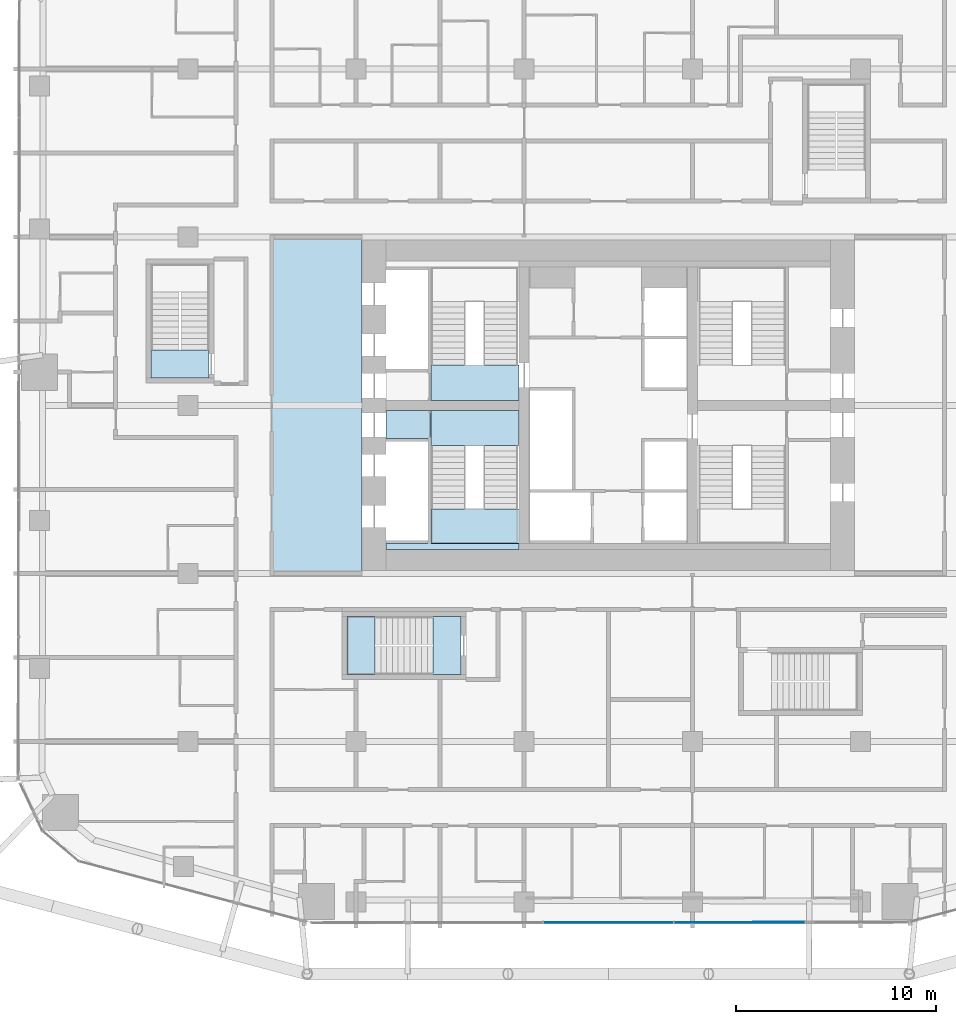
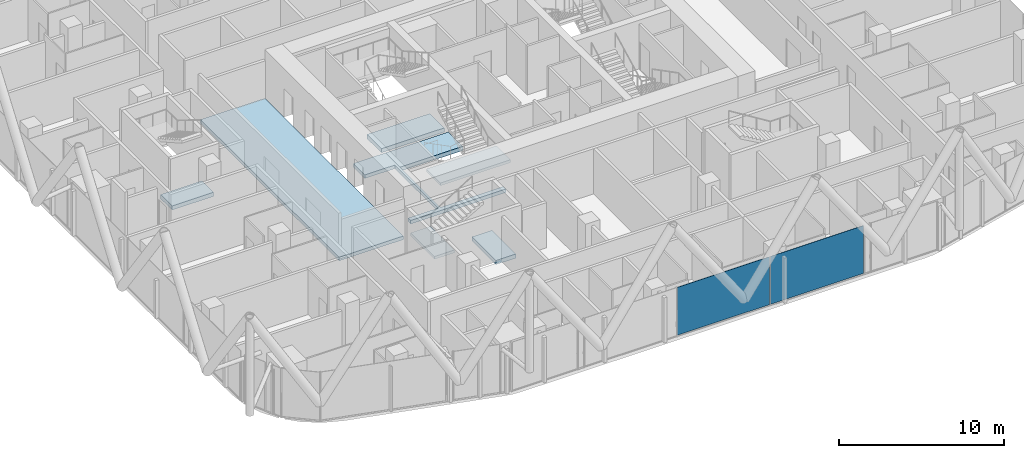
# One storey, part 21 of 38: 8 slabs, 2 plates, 3 elements without a shape of their own.
"""IFC4 building model written with IfcOpenShell, lengths in metres."""

from ifc_helpers import new_model, si_unit, direction, frame, origin, origin_2d, place, context, subcontext, project, spatial, polyline, rectangle, outline, extrude, material, layer, layer_set, type_object, element, aggregate, save


model = new_model("IFC4")

# Units and contexts
model_context = context("Model", 3, precision=1e-05, world=origin(), true_north=direction((0.0, 1.0)))
body_context = subcontext(model_context, "Body", "Model", "MODEL_VIEW")
ifc_project = project(units=[si_unit("LENGTHUNIT", "METRE"), si_unit("AREAUNIT", "SQUARE_METRE"), si_unit("VOLUMEUNIT", "CUBIC_METRE"), si_unit("PLANEANGLEUNIT", "RADIAN"), si_unit("MASSUNIT", "GRAM", prefix="KILO")], contexts=[model_context])

# Site, building, storey
site_placement = place(None, origin())
site = spatial("IfcSite", under=ifc_project, at=site_placement, CompositionType="ELEMENT")
building_placement = place(site_placement, origin())
building = spatial("IfcBuilding", under=site, at=building_placement, Name="Marenta Gate Hotel Tower", CompositionType="ELEMENT")
storey_placement = place(building_placement, frame((0.0, 0.0, 54.5)))
storey = spatial("IfcBuildingStorey", under=building, at=storey_placement, Name="L11", CompositionType="ELEMENT", Elevation=54.5)

# Slabs
ifc_material_1 = material(Name="Concrete C40", Category="concrete")
ifc_layer_1 = layer(ifc_material_1, 0.260009765625)
ifc_layer_set_1 = layer_set([ifc_layer_1], Name="Concrete C40")
slab_type_1 = type_object("IfcSlabType", Name="Core floor slab 260", PredefinedType="FLOOR", material=ifc_layer_set_1)
slab_1_placement = place(storey_placement, frame((0.0, 0.0, -0.260009765625)))
element("IfcSlab", 1, at=slab_1_placement, inside=storey, type_object=slab_type_1, Name="L11-CF-5", PredefinedType="FLOOR", context=body_context, shape_type="SweptSolid", body=[
    extrude(outline(polyline([(-9.0, 1.5), (-9.0, 1.64990234375), (-9.0, 4.050048828125), (-9.0, 4.199951171875), (-9.0, 6.60009765625), (-9.0, 6.75), (-11.10009765625, 6.75), (-11.10009765625, 8.14990234375), (-8.85009765625, 8.14990234375), (-8.85009765625, 8.10009765625), (-8.85009765625, 6.39990234375), (-8.85009765625, 1.5), (-4.449951171875, 1.5), (-4.449951171875, 1.199951171875), (-11.10009765625, 1.199951171875), (-11.10009765625, 1.5), (-9.0, 1.5)])), origin(), (0.0, 0.0, 1.0), 0.260009765625),
])
slab_2_placement = place(storey_placement, frame((0.0, 0.0, -0.260009765625)))
element("IfcSlab", 2, at=slab_2_placement, inside=storey, type_object=slab_type_1, Name="L11-CF-7", PredefinedType="FLOOR", context=body_context, shape_type="SweptSolid", body=[
    extrude(outline(polyline([(-12.300048828125, 16.800048828125), (-12.300048828125, 0.0), (-16.800048828125, 0.0), (-16.800048828125, 16.800048828125), (-12.300048828125, 16.800048828125)])), origin(), (0.0, 0.0, 1.0), 0.260009765625),
])

# Stair, slab
ifc_material_2 = material(Name="Concrete C40", Category="concrete")
stair_type_1 = type_object("IfcStairType", Name="Core exit stair 1700 wide", PredefinedType="HALF_TURN_STAIR", material=ifc_material_2)
stair_1_placement = place(storey_placement, origin())
stair_1 = element("IfcStair", 3, at=stair_1_placement, inside=storey, type_object=stair_type_1, Name="Exit stair 1", PredefinedType="HALF_TURN_STAIR")
ifc_material_3 = material(Name="Concrete C40", Category="concrete")
ifc_layer_2 = layer(ifc_material_3, 0.199951171875)
ifc_layer_set_2 = layer_set([ifc_layer_2], Name="Concrete C40")
slab_type_2 = type_object("IfcSlabType", Name="Core stair landing 200", PredefinedType="LANDING", material=ifc_layer_set_2)
slab_3_placement = place(storey_placement, frame((0.0, 0.0, 1.60009765625)))
slab_3 = element("IfcSlab", 4, at=slab_3_placement, type_object=slab_type_2, Name="SL-200 ST1 landing 1", PredefinedType="LANDING", context=body_context, shape_type="SweptSolid", body=[
    extrude(outline(polyline([(-8.85009765625, 1.5), (-3.949951171875, 1.5), (-3.949951171875, 3.2099609375), (-8.85009765625, 3.2099609375), (-8.85009765625, 1.5)])), origin(), (0.0, 0.0, 1.0), 0.199951171875),
])
aggregate(stair_1, [slab_3])

# Curtain wall, plates
ifc_material_4 = material(Name="Tinted insulated glass in bronze anodised frame", Category="glass")
ifc_layer_3 = layer(ifc_material_4, 0.1201171875)
ifc_layer_set_3 = layer_set([ifc_layer_3], Name="Tinted insulated glass in bronze anodised frame")
curtain_wall_type = type_object("IfcCurtainWallType", Name="Tower unitised curtain wall CW1", PredefinedType="NOTDEFINED", material=ifc_layer_set_3)
curtain_wall_placement = place(storey_placement, origin())
curtain_wall = element("IfcCurtainWall", 5, at=curtain_wall_placement, inside=storey, type_object=curtain_wall_type, Name="CW1 run G20", PredefinedType="NOTDEFINED")
ifc_material_5 = material(Name="Tinted insulated glass", Category="glass")
ifc_layer_4 = layer(ifc_material_5, 0.028076171875)
ifc_layer_set_4 = layer_set([ifc_layer_4], Name="Tinted insulated glass")
plate_type = type_object("IfcPlateType", Name="Glass panel CW1 28 mm tinted insulated unit", PredefinedType="CURTAIN_PANEL", material=ifc_layer_set_4)
plate_1_placement = place(storey_placement, frame((0.007080078125, -17.430419921875, 0.06005859375), z_axis=(0.0, 0.0, 1.0), x_axis=(0.999999323345, 0.001163317936, 0.0)))
plate_1 = element("IfcPlate", 6, at=plate_1_placement, type_object=plate_type, Name="CW1 panel 2.1", PredefinedType="CURTAIN_PANEL", context=body_context, shape_type="SweptSolid", body=[
    extrude(rectangle(XDim=6.47314453125, YDim=0.028076171875, at=origin_2d()), origin(), (0.0, 0.0, 1.0), 3.5400390625),
])
plate_2_placement = place(storey_placement, frame((6.55517578125, -17.4228515625, 0.06005859375), z_axis=(0.0, 0.0, 1.0), x_axis=(0.999999323345, 0.001163317936, 0.0)))
plate_2 = element("IfcPlate", 7, at=plate_2_placement, type_object=plate_type, Name="CW1 panel 3.1", PredefinedType="CURTAIN_PANEL", context=body_context, shape_type="SweptSolid", body=[
    extrude(rectangle(XDim=6.5029296875, YDim=0.028076171875, at=origin_2d()), origin(), (0.0, 0.0, 1.0), 3.5400390625),
])
aggregate(curtain_wall, [plate_1, plate_2])

# Stair, slab
ifc_material_6 = material(Name="Concrete C40", Category="concrete")
stair_type_2 = type_object("IfcStairType", Name="Remote exit stair 1400 wide", PredefinedType="HALF_TURN_STAIR", material=ifc_material_6)
stair_2_placement = place(storey_placement, origin())
stair_2 = element("IfcStair", 8, at=stair_2_placement, inside=storey, type_object=stair_type_2, Name="Exit stair RS-Z1-2", PredefinedType="HALF_TURN_STAIR")
ifc_material_7 = material(Name="Concrete C40", Category="concrete")
ifc_layer_5 = layer(ifc_material_7, 0.199951171875)
ifc_layer_set_5 = layer_set([ifc_layer_5], Name="Concrete C40")
slab_type_3 = type_object("IfcSlabType", Name="Remote stair landing 200", PredefinedType="LANDING", material=ifc_layer_set_5)
slab_4_placement = place(storey_placement, frame((0.0, 0.0, 1.60009765625)))
slab_4 = element("IfcSlab", 9, at=slab_4_placement, type_object=slab_type_3, Name="RL-200 RS-Z1-2 landing 1", PredefinedType="LANDING", context=body_context, shape_type="SweptSolid", body=[
    extrude(outline(polyline([(-13.050048828125, -5.050048828125), (-11.64990234375, -5.050048828125), (-11.64990234375, -2.14990234375), (-13.050048828125, -2.14990234375), (-13.050048828125, -5.050048828125)])), origin(), (0.0, 0.0, 1.0), 0.199951171875),
])
aggregate(stair_2, [slab_4])

# Slabs
ifc_material_8 = material(Name="Concrete C40", Category="concrete")
ifc_layer_6 = layer(ifc_material_8, 0.300048828125)
ifc_layer_set_6 = layer_set([ifc_layer_6], Name="Concrete C40")
slab_type_4 = type_object("IfcSlabType", Name="Stair floor landing slab 300", PredefinedType="FLOOR", material=ifc_layer_set_6)
slab_5_placement = place(storey_placement, frame((0.0, 0.0, -0.300048828125)))
element("IfcSlab", 10, at=slab_5_placement, inside=storey, type_object=slab_type_4, Name="L11-CL-ST1-1", PredefinedType="FLOOR", context=body_context, shape_type="SweptSolid", body=[
    extrude(outline(polyline([(-4.449951171875, 6.39990234375), (-8.85009765625, 6.39990234375), (-8.85009765625, 8.10009765625), (-8.85009765625, 8.14990234375), (-4.449951171875, 8.14990234375), (-4.449951171875, 6.39990234375)])), origin(), (0.0, 0.0, 1.0), 0.300048828125),
])
slab_6_placement = place(storey_placement, frame((0.0, 0.0, -0.300048828125)))
element("IfcSlab", 11, at=slab_6_placement, inside=storey, type_object=slab_type_4, Name="L11-CL-ST2-1", PredefinedType="FLOOR", context=body_context, shape_type="SweptSolid", body=[
    extrude(outline(polyline([(-4.449951171875, 8.64990234375), (-8.85009765625, 8.64990234375), (-8.85009765625, 8.699951171875), (-8.85009765625, 10.39990234375), (-4.449951171875, 10.39990234375), (-4.449951171875, 8.64990234375)])), origin(), (0.0, 0.0, 1.0), 0.300048828125),
])
slab_7_placement = place(storey_placement, frame((0.0, 0.0, -0.300048828125)))
element("IfcSlab", 12, at=slab_7_placement, inside=storey, type_object=slab_type_4, Name="L11-RS-Z1-2-CL", PredefinedType="FLOOR", context=body_context, shape_type="SweptSolid", body=[
    extrude(outline(polyline([(-7.35009765625, -5.050048828125), (-7.35009765625, -2.14990234375), (-8.75, -2.14990234375), (-8.75, -5.050048828125), (-7.35009765625, -5.050048828125)])), origin(), (0.0, 0.0, 1.0), 0.300048828125),
])
slab_8_placement = place(storey_placement, frame((0.0, 0.0, -0.300048828125)))
element("IfcSlab", 13, at=slab_8_placement, inside=storey, type_object=slab_type_4, Name="L11-RS-Z1-3-CL", PredefinedType="FLOOR", context=body_context, shape_type="SweptSolid", body=[
    extrude(outline(polyline([(-19.949951171875, 9.75), (-19.949951171875, 11.14990234375), (-22.85009765625, 11.14990234375), (-22.85009765625, 9.75), (-19.949951171875, 9.75)])), origin(), (0.0, 0.0, 1.0), 0.300048828125),
])

save(model, "model.ifc")
